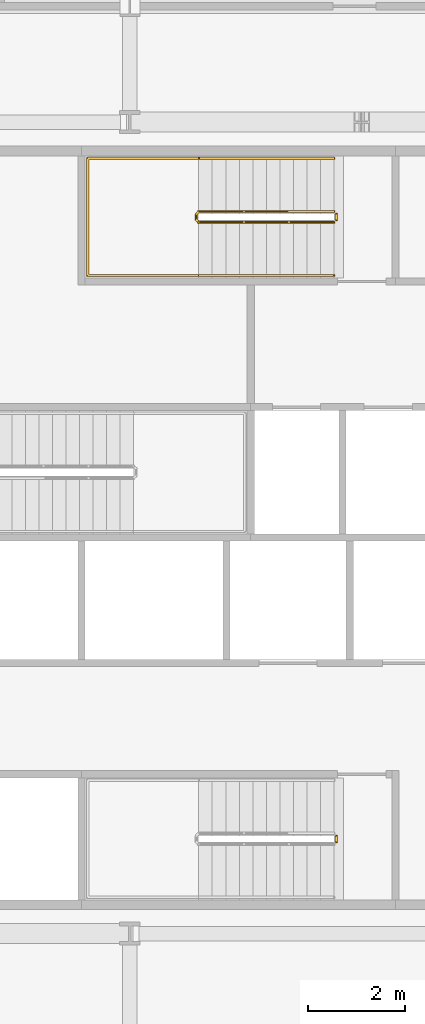
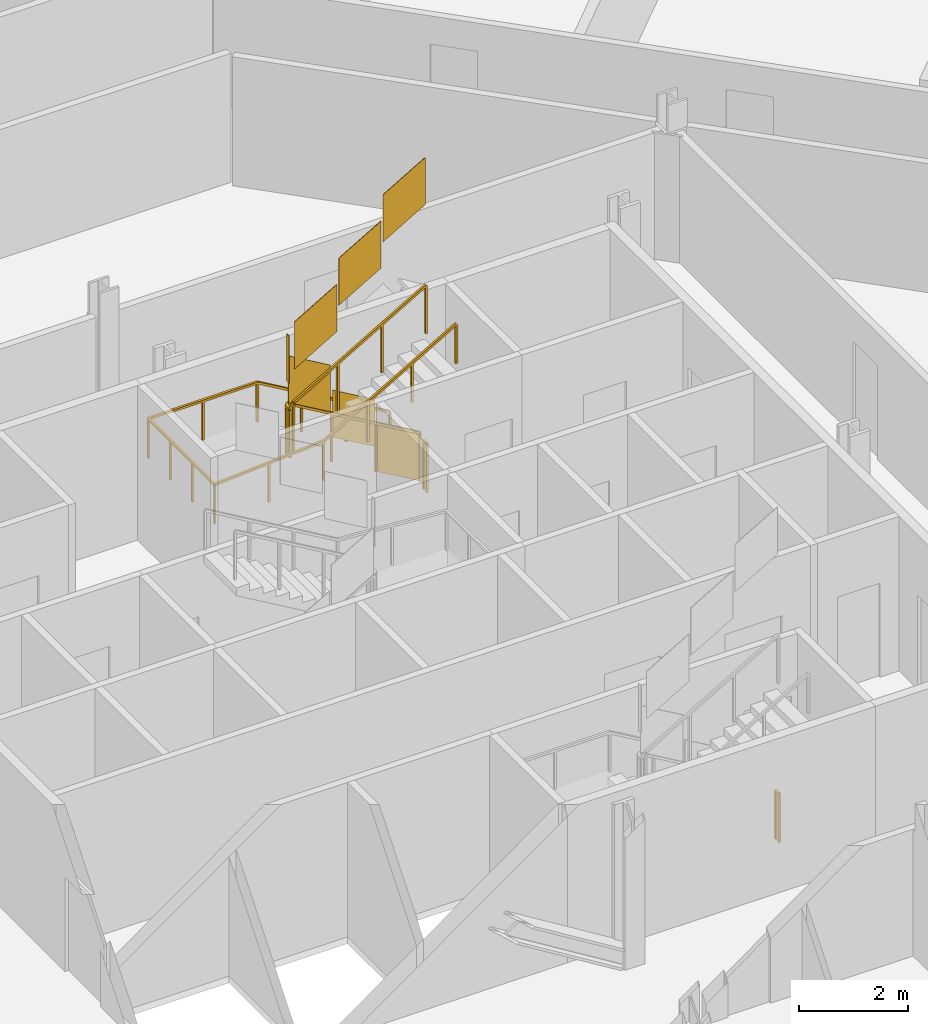
# One storey, part 18 of 21: 4 railings.
"""IFC4 building model written with IfcOpenShell, lengths in metres."""

from ifc_helpers import new_model, si_unit, direction, frame, origin, origin_2d, place, context, subcontext, project, spatial, polyline, rectangle, outline, extrude, material, type_object, element, save


model = new_model("IFC4")

# Units and contexts
model_context = context("Model", 3, precision=1e-05, world=origin(), true_north=direction((0.0, 1.0)))
body_context = subcontext(model_context, "Body", "Model", "MODEL_VIEW")
ifc_project = project(units=[si_unit("LENGTHUNIT", "METRE"), si_unit("AREAUNIT", "SQUARE_METRE"), si_unit("VOLUMEUNIT", "CUBIC_METRE"), si_unit("PLANEANGLEUNIT", "RADIAN"), si_unit("MASSUNIT", "GRAM", prefix="KILO")], contexts=[model_context])

# Site, building, storey
site_placement = place(None, origin())
site = spatial("IfcSite", under=ifc_project, at=site_placement, CompositionType="ELEMENT")
building_placement = place(site_placement, origin())
building = spatial("IfcBuilding", under=site, at=building_placement, Name="Cairn Pilgrim Tower", CompositionType="ELEMENT")
storey_placement = place(building_placement, frame((0.0, 0.0, 129.0)))
storey = spatial("IfcBuildingStorey", under=building, at=storey_placement, Name="L31", CompositionType="ELEMENT", Elevation=129.0)

# Railings
ifc_material = material(Name="Painted steel", Category="steel")
railing_type_1 = type_object("IfcRailingType", Name="STAIR GUARD 1100", PredefinedType="GUARDRAIL", material=ifc_material)
railing_1_placement = place(storey_placement, frame((11.47509765625, -3.97509765625, 0.0)))
element("IfcRailing", 1, at=railing_1_placement, inside=storey, type_object=railing_type_1, Name="L31 ST-A stair guard 2", PredefinedType="GUARDRAIL", context=body_context, shape_type="SweptSolid", body=[
    extrude(rectangle(XDim=0.048095703125, YDim=0.048095703125, at=origin_2d()), frame((0.0, 0.0, 1.076171875), z_axis=(0.0, -1.0, 0.0), x_axis=(1.0, 0.0, 0.0)), (0.0, 0.0, 1.0), 0.125),
    extrude(rectangle(XDim=0.0419921875, YDim=0.0419921875, at=origin_2d()), origin(), (0.0, 0.0, 1.0), 1.052001953125),
    extrude(rectangle(XDim=0.0419921875, YDim=0.0419921875, at=origin_2d()), frame((0.0, -0.125, 0.0)), (0.0, 0.0, 1.0), 1.052001953125),
    extrude(outline(polyline([(0.02099609375, 0.0), (0.10400390625, 0.0), (0.10400390625, 1.052001953125), (0.02099609375, 1.052001953125), (0.02099609375, 0.0)])), frame((0.005859375, 0.0, 0.0), z_axis=(-1.0, 0.0, 0.0), x_axis=(0.0, -1.0, 0.0)), (0.0, 0.0, 1.0), 0.011962890625),
])
railing_2_placement = place(storey_placement, frame((11.425048828125, 8.949951171875, 0.16357421875)))
element("IfcRailing", 2, at=railing_2_placement, inside=storey, type_object=railing_type_1, Name="L31 ST-C stair guard 1", PredefinedType="GUARDRAIL", context=body_context, shape_type="SweptSolid", body=[
    extrude(rectangle(XDim=0.048095703125, YDim=0.048095703125, at=origin_2d()), frame((0.0, 0.0, 1.076171875), z_axis=(-0.863360870873, 0.0, 0.504586966384), x_axis=(0.0, -1.0, 0.0)), (0.0, 0.0, 1.0), 3.2431640625),
    extrude(rectangle(XDim=0.048095703125, YDim=0.048095703125, at=origin_2d()), frame((-2.800048828125, 0.0, 2.71240234375), z_axis=(-0.707106781187, -0.707106781187, 0.0), x_axis=(0.707106781187, -0.707106781187, 0.0)), (0.0, 0.0, 1.0), 0.07080078125),
    extrude(rectangle(XDim=0.048095703125, YDim=0.048095703125, at=origin_2d()), frame((-2.85009765625, -0.050048828125, 2.71240234375), z_axis=(0.0, -1.0, 0.0), x_axis=(1.0, 0.0, 0.0)), (0.0, 0.0, 1.0), 0.125),
    extrude(rectangle(XDim=0.048095703125, YDim=0.048095703125, at=origin_2d()), frame((-2.85009765625, -0.175048828125, 2.71240234375), z_axis=(0.280916556609, -0.279546231943, 0.91811752648), x_axis=(0.705375805398, 0.708833529934, 0.0)), (0.0, 0.0, 1.0), 0.17822265625),
    extrude(rectangle(XDim=0.048095703125, YDim=0.048095703125, at=origin_2d()), frame((-2.800048828125, -0.224853515625, 2.8759765625), z_axis=(0.863360870873, 0.0, 0.504586966384), x_axis=(0.0, 1.0, 0.0)), (0.0, 0.0, 1.0), 3.2431640625),
    extrude(rectangle(XDim=0.0419921875, YDim=0.0419921875, at=origin_2d()), origin(), (0.0, 0.0, 1.0), 1.052001953125),
    extrude(rectangle(XDim=0.0419921875, YDim=0.0419921875, at=origin_2d()), frame((-0.933349609375, 0.0, 0.54541015625)), (0.0, 0.0, 1.0), 1.052001953125),
    extrude(rectangle(XDim=0.0419921875, YDim=0.0419921875, at=origin_2d()), frame((-1.86669921875, 0.0, 1.091064453125)), (0.0, 0.0, 1.0), 1.052001953125),
    extrude(rectangle(XDim=0.0419921875, YDim=0.0419921875, at=origin_2d()), frame((-2.800048828125, 0.0, 1.636474609375)), (0.0, 0.0, 1.0), 1.052001953125),
    extrude(rectangle(XDim=0.0419921875, YDim=0.0419921875, at=origin_2d()), frame((-2.85009765625, -0.050048828125, 1.636474609375)), (0.0, 0.0, 1.0), 1.052001953125),
    extrude(rectangle(XDim=0.0419921875, YDim=0.0419921875, at=origin_2d()), frame((-2.85009765625, -0.175048828125, 1.636474609375)), (0.0, 0.0, 1.0), 1.052001953125),
    extrude(rectangle(XDim=0.0419921875, YDim=0.0419921875, at=origin_2d()), frame((-2.800048828125, -0.224853515625, 1.800048828125)), (0.0, 0.0, 1.0), 1.052001953125),
    extrude(rectangle(XDim=0.0419921875, YDim=0.0419921875, at=origin_2d()), frame((-1.86669921875, -0.224853515625, 2.345458984375)), (0.0, 0.0, 1.0), 1.052001953125),
    extrude(rectangle(XDim=0.0419921875, YDim=0.0419921875, at=origin_2d()), frame((-0.933349609375, -0.224853515625, 2.89111328125)), (0.0, 0.0, 1.0), 1.052001953125),
    extrude(rectangle(XDim=0.0419921875, YDim=0.0419921875, at=origin_2d()), frame((0.0, -0.224853515625, 3.4365234375)), (0.0, 0.0, 1.0), 1.052001953125),
    extrude(outline(polyline([(0.02099609375, 0.01220703125), (0.912353515625, 0.533203125), (0.912353515625, 1.585205078125), (0.02099609375, 1.064208984375), (0.02099609375, 0.01220703125)])), frame((0.0, -0.005859375, 0.0), z_axis=(0.0, 1.0, 0.0), x_axis=(-1.0, 0.0, 0.0)), (0.0, 0.0, 1.0), 0.011962890625),
    extrude(outline(polyline([(0.02099609375, 0.557861328125), (0.912353515625, 1.07861328125), (0.912353515625, 2.130615234375), (0.02099609375, 1.60986328125), (0.02099609375, 0.557861328125)])), frame((-0.933349609375, -0.005859375, 0.54541015625), z_axis=(0.0, 1.0, 0.0), x_axis=(-1.0, 0.0, 0.0)), (0.0, 0.0, 1.0), 0.011962890625),
    extrude(outline(polyline([(0.02099609375, 1.103271484375), (0.912353515625, 1.624267578125), (0.912353515625, 2.67626953125), (0.02099609375, 2.1552734375), (0.02099609375, 1.103271484375)])), frame((-1.86669921875, -0.005859375, 1.091064453125), z_axis=(0.0, 1.0, 0.0), x_axis=(-1.0, 0.0, 0.0)), (0.0, 0.0, 1.0), 0.011962890625),
    extrude(outline(polyline([(0.02099609375, 1.636474609375), (0.10400390625, 1.636474609375), (0.10400390625, 2.6884765625), (0.02099609375, 2.6884765625), (0.02099609375, 1.636474609375)])), frame((-2.84423828125, -0.050048828125, 1.636474609375), z_axis=(-1.0, 0.0, 0.0), x_axis=(0.0, -1.0, 0.0)), (0.0, 0.0, 1.0), 0.011962890625),
    extrude(outline(polyline([(0.02099609375, 1.812255859375), (0.912353515625, 2.333251953125), (0.912353515625, 3.38525390625), (0.02099609375, 2.8642578125), (0.02099609375, 1.812255859375)])), frame((-2.800048828125, -0.21875, 1.800048828125), z_axis=(0.0, -1.0, 0.0), x_axis=(1.0, 0.0, 0.0)), (0.0, 0.0, 1.0), 0.011962890625),
    extrude(outline(polyline([(0.02099609375, 2.35791015625), (0.912353515625, 2.878662109375), (0.912353515625, 3.9306640625), (0.02099609375, 3.409912109375), (0.02099609375, 2.35791015625)])), frame((-1.86669921875, -0.21875, 2.345458984375), z_axis=(0.0, -1.0, 0.0), x_axis=(1.0, 0.0, 0.0)), (0.0, 0.0, 1.0), 0.011962890625),
    extrude(outline(polyline([(0.02099609375, 2.9033203125), (0.912353515625, 3.42431640625), (0.912353515625, 4.476318359375), (0.02099609375, 3.955322265625), (0.02099609375, 2.9033203125)])), frame((-0.933349609375, -0.21875, 2.89111328125), z_axis=(0.0, -1.0, 0.0), x_axis=(1.0, 0.0, 0.0)), (0.0, 0.0, 1.0), 0.011962890625),
])
railing_3_placement = place(storey_placement, frame((11.47509765625, 8.89990234375, 0.0)))
element("IfcRailing", 3, at=railing_3_placement, inside=storey, type_object=railing_type_1, Name="L31 ST-C stair guard 2", PredefinedType="GUARDRAIL", context=body_context, shape_type="SweptSolid", body=[
    extrude(rectangle(XDim=0.048095703125, YDim=0.048095703125, at=origin_2d()), frame((0.0, 0.0, 1.076171875), z_axis=(0.0, -1.0, 0.0), x_axis=(1.0, 0.0, 0.0)), (0.0, 0.0, 1.0), 0.125),
    extrude(rectangle(XDim=0.0419921875, YDim=0.0419921875, at=origin_2d()), origin(), (0.0, 0.0, 1.0), 1.052001953125),
    extrude(rectangle(XDim=0.0419921875, YDim=0.0419921875, at=origin_2d()), frame((0.0, -0.125, 0.0)), (0.0, 0.0, 1.0), 1.052001953125),
    extrude(outline(polyline([(0.02099609375, 0.0), (0.10400390625, 0.0), (0.10400390625, 1.052001953125), (0.02099609375, 1.052001953125), (0.02099609375, 0.0)])), frame((0.005859375, 0.0, 0.0), z_axis=(-1.0, 0.0, 0.0), x_axis=(0.0, -1.0, 0.0)), (0.0, 0.0, 1.0), 0.011962890625),
])
railing_type_2 = type_object("IfcRailingType", Name="STAIR HANDRAIL 900", PredefinedType="HANDRAIL", material=ifc_material)
railing_4_placement = place(storey_placement, frame((11.425048828125, 10.050048828125, 0.16357421875)))
element("IfcRailing", 4, at=railing_4_placement, inside=storey, type_object=railing_type_2, Name="L31 ST-C stair handrail 1", PredefinedType="HANDRAIL", context=body_context, shape_type="SweptSolid", body=[
    extrude(rectangle(XDim=0.048095703125, YDim=0.048095703125, at=origin_2d()), frame((0.0, 0.0, 0.8759765625), z_axis=(-0.863360870873, 0.0, 0.504586966384), x_axis=(0.0, -1.0, 0.0)), (0.0, 0.0, 1.0), 3.2431640625),
    extrude(rectangle(XDim=0.048095703125, YDim=0.048095703125, at=origin_2d()), frame((-2.800048828125, 0.0, 2.51220703125), z_axis=(-1.0, 0.0, 0.0), x_axis=(0.0, -1.0, 0.0)), (0.0, 0.0, 1.0), 2.300048828125),
    extrude(rectangle(XDim=0.048095703125, YDim=0.048095703125, at=origin_2d()), frame((-5.10009765625, 0.0, 2.51220703125), z_axis=(0.0, -1.0, 0.0), x_axis=(1.0, 0.0, 0.0)), (0.0, 0.0, 1.0), 2.425048828125),
    extrude(rectangle(XDim=0.048095703125, YDim=0.048095703125, at=origin_2d()), frame((-5.10009765625, -2.425048828125, 2.51220703125), z_axis=(0.997480687736, 0.0, 0.070938548008), x_axis=(0.0, 1.0, 0.0)), (0.0, 0.0, 1.0), 2.305908203125),
    extrude(rectangle(XDim=0.048095703125, YDim=0.048095703125, at=origin_2d()), frame((-2.800048828125, -2.425048828125, 2.67578125), z_axis=(0.863360870873, 0.0, 0.504586966384), x_axis=(0.0, 1.0, 0.0)), (0.0, 0.0, 1.0), 3.2431640625),
    extrude(rectangle(XDim=0.0419921875, YDim=0.0419921875, at=origin_2d()), origin(), (0.0, 0.0, 1.0), 0.851806640625),
    extrude(rectangle(XDim=0.0419921875, YDim=0.0419921875, at=origin_2d()), frame((-0.933349609375, 0.0, 0.54541015625)), (0.0, 0.0, 1.0), 0.851806640625),
    extrude(rectangle(XDim=0.0419921875, YDim=0.0419921875, at=origin_2d()), frame((-1.86669921875, 0.0, 1.091064453125)), (0.0, 0.0, 1.0), 0.851806640625),
    extrude(rectangle(XDim=0.0419921875, YDim=0.0419921875, at=origin_2d()), frame((-2.800048828125, 0.0, 1.636474609375)), (0.0, 0.0, 1.0), 0.851806640625),
    extrude(rectangle(XDim=0.0419921875, YDim=0.0419921875, at=origin_2d()), frame((-3.9501953125, 0.0, 1.636474609375)), (0.0, 0.0, 1.0), 0.851806640625),
    extrude(rectangle(XDim=0.0419921875, YDim=0.0419921875, at=origin_2d()), frame((-5.10009765625, 0.0, 1.636474609375)), (0.0, 0.0, 1.0), 0.851806640625),
    extrude(rectangle(XDim=0.0419921875, YDim=0.0419921875, at=origin_2d()), frame((-5.10009765625, -0.808349609375, 1.636474609375)), (0.0, 0.0, 1.0), 0.851806640625),
    extrude(rectangle(XDim=0.0419921875, YDim=0.0419921875, at=origin_2d()), frame((-5.10009765625, -1.61669921875, 1.636474609375)), (0.0, 0.0, 1.0), 0.851806640625),
    extrude(rectangle(XDim=0.0419921875, YDim=0.0419921875, at=origin_2d()), frame((-5.10009765625, -2.425048828125, 1.636474609375)), (0.0, 0.0, 1.0), 0.851806640625),
    extrude(rectangle(XDim=0.0419921875, YDim=0.0419921875, at=origin_2d()), frame((-3.9501953125, -2.425048828125, 1.71826171875)), (0.0, 0.0, 1.0), 0.851806640625),
    extrude(rectangle(XDim=0.0419921875, YDim=0.0419921875, at=origin_2d()), frame((-2.800048828125, -2.425048828125, 1.800048828125)), (0.0, 0.0, 1.0), 0.851806640625),
    extrude(rectangle(XDim=0.0419921875, YDim=0.0419921875, at=origin_2d()), frame((-1.86669921875, -2.425048828125, 2.345458984375)), (0.0, 0.0, 1.0), 0.851806640625),
    extrude(rectangle(XDim=0.0419921875, YDim=0.0419921875, at=origin_2d()), frame((-0.933349609375, -2.425048828125, 2.89111328125)), (0.0, 0.0, 1.0), 0.851806640625),
    extrude(rectangle(XDim=0.0419921875, YDim=0.0419921875, at=origin_2d()), frame((0.0, -2.425048828125, 3.4365234375)), (0.0, 0.0, 1.0), 0.851806640625),
])

save(model, "model.ifc")
